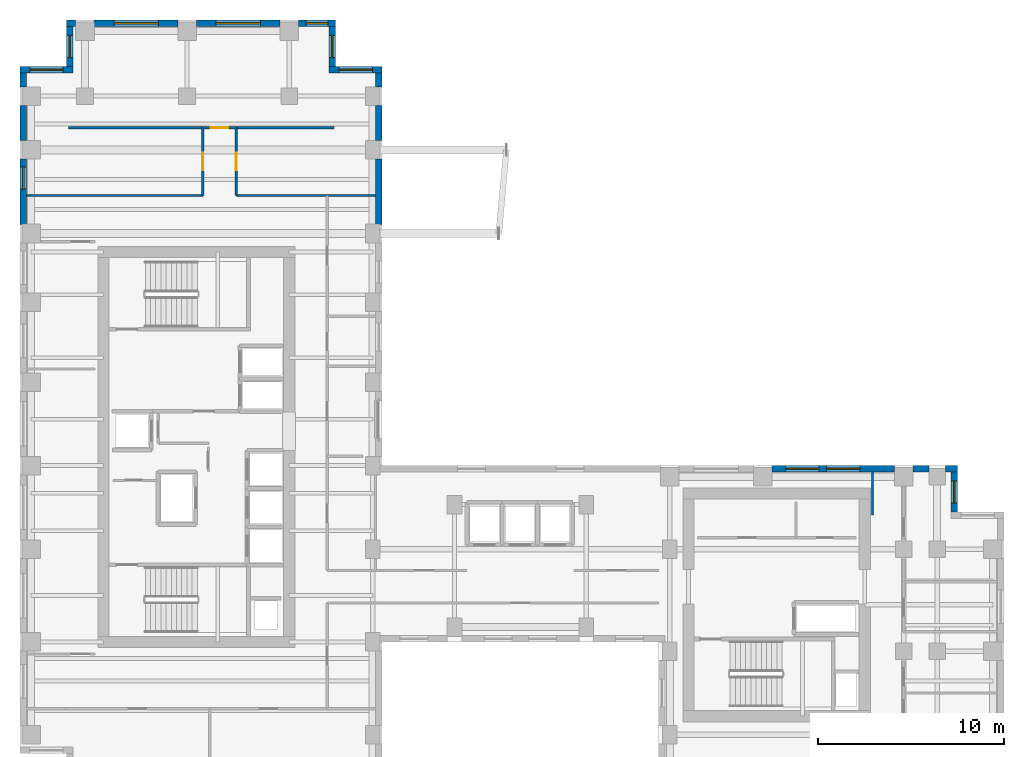
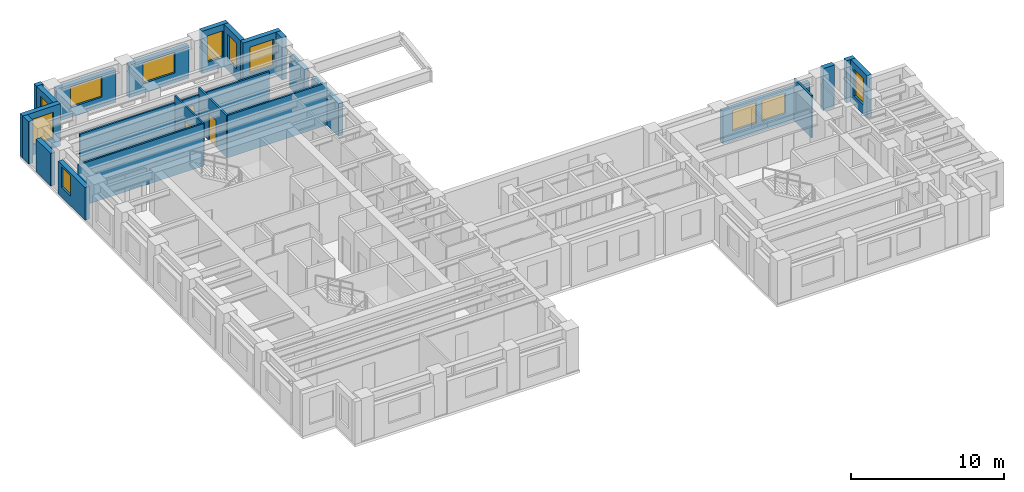
# One storey, part 10 of 13: 26 walls, 11 windows, 3 doors, 14 openings.
"""IFC4 building model written with IfcOpenShell, lengths in metres."""

from ifc_helpers import new_model, si_unit, direction, frame, frame_2d, origin, place, context, subcontext, project, spatial, rectangle, extrude, source, transform, mapped, material, layer, layer_set, type_object, element, fill, save


model = new_model("IFC4")

# Units and contexts
model_context = context("Model", 3, precision=1e-05, world=origin(), true_north=direction((0.0, 1.0)))
body_context = subcontext(model_context, "Body", "Model", "MODEL_VIEW")
ifc_project = project(units=[si_unit("LENGTHUNIT", "METRE"), si_unit("AREAUNIT", "SQUARE_METRE"), si_unit("VOLUMEUNIT", "CUBIC_METRE"), si_unit("PLANEANGLEUNIT", "RADIAN"), si_unit("MASSUNIT", "GRAM", prefix="KILO")], contexts=[model_context])

# Site, building, storey
site_placement = place(None, origin())
site = spatial("IfcSite", under=ifc_project, at=site_placement, CompositionType="ELEMENT")
building_placement = place(site_placement, origin())
building = spatial("IfcBuilding", under=site, at=building_placement, Name="Kharzan Plaza Tower", CompositionType="ELEMENT")
storey_placement = place(building_placement, frame((0.0, 0.0, 153.89990234375)))
storey = spatial("IfcBuildingStorey", under=building, at=storey_placement, Name="L41", CompositionType="ELEMENT", Elevation=153.89990234375)

# Wall, opening, window
ifc_material_1 = material(Name="Concrete C40/50", Category="concrete")
ifc_layer_1 = layer(ifc_material_1, 0.35009765625)
ifc_layer_set_1 = layer_set([ifc_layer_1], Name="Concrete C40/50")
wall_type_1 = type_object("IfcWallType", Name="WL-EXT-MAS-Z3", PredefinedType="SOLIDWALL", material=ifc_layer_set_1)
wall_1_placement = place(storey_placement, frame((19.5, 39.324951171875, 0.0), z_axis=(0.0, 0.0, 1.0), x_axis=(-1.0, 0.0, 0.0)))
wall_1 = element("IfcWall", 1, at=wall_1_placement, inside=storey, type_object=wall_type_1, Name="L41 Masonry-Frame Exterior Wall 01", PredefinedType="SOLIDWALL", context=body_context, shape_type="SweptSolid", body=[
    extrude(rectangle(XDim=2.85009765625, YDim=0.35009765625, at=frame_2d((1.425048828125, 0.0))), origin(), (0.0, 0.0, 1.0), 3.385009765625),
])
opening_1_placement = place(wall_1_placement, frame((0.52490234375, 0.0, 0.780029296875)))
opening_1 = element("IfcOpeningElement", 2, at=opening_1_placement, cuts=wall_1, Name="Opening W1", PredefinedType="OPENING", context=body_context, shape_type="SweptSolid", body=[
    extrude(rectangle(XDim=1.800048828125, YDim=2.10009765625, at=frame_2d((0.89990234375, 1.050048828125))), frame((0.0, 0.18505859375, 0.0), z_axis=(0.0, -1.0, 0.0), x_axis=(1.0, 0.0, 0.0)), (0.0, 0.0, 1.0), 0.3701171875),
])
ifc_material_2 = material(Name="Low-E Double Glazing", Category="glass")
window_type_1 = type_object("IfcWindowType", Name="WN-REC-1800x2100", PartitioningType="SINGLE_PANEL", PredefinedType="WINDOW", material=ifc_material_2)
shared_shape_1 = source(origin(), body_context, "Body", "SweptSolid", [
    extrude(rectangle(XDim=1.800048828125, YDim=2.10009765625, at=frame_2d((0.89990234375, 1.050048828125))), frame((0.0, 0.030029296875, 0.0), z_axis=(0.0, -1.0, 0.0), x_axis=(1.0, 0.0, 0.0)), (0.0, 0.0, 1.0), 0.06005859375),
])
window_1_placement = place(opening_1_placement, origin())
window_1 = element("IfcWindow", 3, at=window_1_placement, inside=storey, type_object=window_type_1, Name="L41 Recessed Solar-Control Window 01-1", OverallHeight=2.10009765625, OverallWidth=1.800048828125, PartitioningType="SINGLE_PANEL", PredefinedType="WINDOW", context=body_context, shape_type="MappedRepresentation", body=[
    mapped(shared_shape_1, transform((0.0, 0.0, 0.0), x_axis=(1.0, 0.0, 0.0), y_axis=(0.0, 1.0, 0.0), z_axis=(0.0, 0.0, 1.0))),
])
fill(opening_1, window_1)

wall_2_placement = place(storey_placement, frame((16.824951171875, 39.498046875, 0.0), z_axis=(0.0, 0.0, 1.0), x_axis=(0.0, 1.0, 0.0)))
wall_2 = element("IfcWall", 4, at=wall_2_placement, inside=storey, type_object=wall_type_1, Name="L41 Masonry-Frame Exterior Wall 02", PredefinedType="SOLIDWALL", context=body_context, shape_type="SweptSolid", body=[
    extrude(rectangle(XDim=2.154052734375, YDim=0.35009765625, at=frame_2d((1.0771484375, 0.0))), origin(), (0.0, 0.0, 1.0), 3.385009765625),
])
opening_2_placement = place(wall_2_placement, frame((0.47705078125, 0.0, 0.780029296875)))
opening_2 = element("IfcOpeningElement", 5, at=opening_2_placement, cuts=wall_2, Name="Opening W3", PredefinedType="OPENING", context=body_context, shape_type="SweptSolid", body=[
    extrude(rectangle(XDim=1.199951171875, YDim=2.10009765625, at=frame_2d((0.60009765625, 1.050048828125))), frame((0.0, 0.18505859375, 0.0), z_axis=(0.0, -1.0, 0.0), x_axis=(1.0, 0.0, 0.0)), (0.0, 0.0, 1.0), 0.3701171875),
])
window_type_2 = type_object("IfcWindowType", Name="WN-REC-1200x2100", PartitioningType="SINGLE_PANEL", PredefinedType="WINDOW", material=ifc_material_2)
shared_shape_2 = source(origin(), body_context, "Body", "SweptSolid", [
    extrude(rectangle(XDim=1.199951171875, YDim=2.10009765625, at=frame_2d((0.60009765625, 1.050048828125))), frame((0.0, 0.030029296875, 0.0), z_axis=(0.0, -1.0, 0.0), x_axis=(1.0, 0.0, 0.0)), (0.0, 0.0, 1.0), 0.06005859375),
])
window_2_placement = place(opening_2_placement, origin())
window_2 = element("IfcWindow", 6, at=window_2_placement, inside=storey, type_object=window_type_2, Name="L41 Recessed Solar-Control Window 02-1", OverallHeight=2.10009765625, OverallWidth=1.199951171875, PartitioningType="SINGLE_PANEL", PredefinedType="WINDOW", context=body_context, shape_type="MappedRepresentation", body=[
    mapped(shared_shape_2, transform((0.0, 0.0, 0.0), x_axis=(1.0, 0.0, 0.0), y_axis=(0.0, 1.0, 0.0), z_axis=(0.0, 0.0, 1.0))),
])
fill(opening_2, window_2)

wall_3_placement = place(storey_placement, frame((17.0, 41.824951171875, 0.0), z_axis=(0.0, 0.0, 1.0), x_axis=(-1.0, 0.0, 0.0)))
wall_3 = element("IfcWall", 7, at=wall_3_placement, inside=storey, type_object=wall_type_1, Name="L41 Masonry-Frame Exterior Wall 03", PredefinedType="SOLIDWALL", context=body_context, shape_type="SweptSolid", body=[
    extrude(rectangle(XDim=2.001953125, YDim=0.35009765625, at=frame_2d((1.0009765625, 0.0))), origin(), (0.0, 0.0, 1.0), 3.385009765625),
])
opening_3_placement = place(wall_3_placement, frame((0.40087890625, 0.0, 0.780029296875)))
opening_3 = element("IfcOpeningElement", 8, at=opening_3_placement, cuts=wall_3, Name="Opening W3", PredefinedType="OPENING", context=body_context, shape_type="SweptSolid", body=[
    extrude(rectangle(XDim=1.199951171875, YDim=2.10009765625, at=frame_2d((0.60009765625, 1.050048828125))), frame((0.0, 0.18505859375, 0.0), z_axis=(0.0, -1.0, 0.0), x_axis=(1.0, 0.0, 0.0)), (0.0, 0.0, 1.0), 0.3701171875),
])
window_3_placement = place(opening_3_placement, origin())
window_3 = element("IfcWindow", 9, at=window_3_placement, inside=storey, type_object=window_type_2, Name="L41 Recessed Solar-Control Window 03-1", OverallHeight=2.10009765625, OverallWidth=1.199951171875, PartitioningType="SINGLE_PANEL", PredefinedType="WINDOW", context=body_context, shape_type="MappedRepresentation", body=[
    mapped(shared_shape_2, transform((0.0, 0.0, 0.0), x_axis=(1.0, 0.0, 0.0), y_axis=(0.0, 1.0, 0.0), z_axis=(0.0, 0.0, 1.0))),
])
fill(opening_3, window_3)

wall_4_placement = place(storey_placement, frame((14.001953125, 41.824951171875, 0.0), z_axis=(0.0, 0.0, 1.0), x_axis=(-1.0, 0.0, 0.0)))
wall_4 = element("IfcWall", 10, at=wall_4_placement, inside=storey, type_object=wall_type_1, Name="L41 Masonry-Frame Exterior Wall 04", PredefinedType="SOLIDWALL", context=body_context, shape_type="SweptSolid", body=[
    extrude(rectangle(XDim=4.50390625, YDim=0.35009765625, at=frame_2d((2.251953125, 0.0))), origin(), (0.0, 0.0, 1.0), 2.612060546875),
])
opening_4_placement = place(wall_4_placement, frame((1.052001953125, 0.0, 0.780029296875)))
opening_4 = element("IfcOpeningElement", 11, at=opening_4_placement, cuts=wall_4, Name="Opening W2", PredefinedType="OPENING", context=body_context, shape_type="SweptSolid", body=[
    extrude(rectangle(XDim=2.39990234375, YDim=1.652099609375, at=frame_2d((1.199951171875, 0.826171875))), frame((0.0, 0.18505859375, 0.0), z_axis=(0.0, -1.0, 0.0), x_axis=(1.0, 0.0, 0.0)), (0.0, 0.0, 1.0), 0.3701171875),
])
window_type_3 = type_object("IfcWindowType", Name="WN-REC-2400x2100", PartitioningType="SINGLE_PANEL", PredefinedType="WINDOW", material=ifc_material_2)
shared_shape_3 = source(origin(), body_context, "Body", "SweptSolid", [
    extrude(rectangle(XDim=2.39990234375, YDim=1.652099609375, at=frame_2d((1.199951171875, 0.826171875))), frame((0.0, 0.030029296875, 0.0), z_axis=(0.0, -1.0, 0.0), x_axis=(1.0, 0.0, 0.0)), (0.0, 0.0, 1.0), 0.06005859375),
])
window_4_placement = place(opening_4_placement, origin())
window_4 = element("IfcWindow", 12, at=window_4_placement, inside=storey, type_object=window_type_3, Name="L41 Wide Recessed Solar-Control Window 04-1", OverallHeight=1.652099609375, OverallWidth=2.39990234375, PartitioningType="SINGLE_PANEL", PredefinedType="WINDOW", context=body_context, shape_type="MappedRepresentation", body=[
    mapped(shared_shape_3, transform((0.0, 0.0, 0.0), x_axis=(1.0, 0.0, 0.0), y_axis=(0.0, 1.0, 0.0), z_axis=(0.0, 0.0, 1.0))),
])
fill(opening_4, window_4)

wall_5_placement = place(storey_placement, frame((8.501953125, 41.824951171875, 0.0), z_axis=(0.0, 0.0, 1.0), x_axis=(-1.0, 0.0, 0.0)))
wall_5 = element("IfcWall", 13, at=wall_5_placement, inside=storey, type_object=wall_type_1, Name="L41 Masonry-Frame Exterior Wall 05", PredefinedType="SOLIDWALL", context=body_context, shape_type="SweptSolid", body=[
    extrude(rectangle(XDim=4.50390625, YDim=0.35009765625, at=frame_2d((2.251953125, 0.0))), origin(), (0.0, 0.0, 1.0), 2.612060546875),
])
opening_5_placement = place(wall_5_placement, frame((1.052001953125, 0.0, 0.780029296875)))
opening_5 = element("IfcOpeningElement", 14, at=opening_5_placement, cuts=wall_5, Name="Opening W2", PredefinedType="OPENING", context=body_context, shape_type="SweptSolid", body=[
    extrude(rectangle(XDim=2.39990234375, YDim=1.652099609375, at=frame_2d((1.199951171875, 0.826171875))), frame((0.0, 0.18505859375, 0.0), z_axis=(0.0, -1.0, 0.0), x_axis=(1.0, 0.0, 0.0)), (0.0, 0.0, 1.0), 0.3701171875),
])
window_5_placement = place(opening_5_placement, origin())
window_5 = element("IfcWindow", 15, at=window_5_placement, inside=storey, type_object=window_type_3, Name="L41 Wide Recessed Solar-Control Window 05-1", OverallHeight=1.652099609375, OverallWidth=2.39990234375, PartitioningType="SINGLE_PANEL", PredefinedType="WINDOW", context=body_context, shape_type="MappedRepresentation", body=[
    mapped(shared_shape_3, transform((0.0, 0.0, 0.0), x_axis=(1.0, 0.0, 0.0), y_axis=(0.0, 1.0, 0.0), z_axis=(0.0, 0.0, 1.0))),
])
fill(opening_5, window_5)

wall_6_placement = place(storey_placement, frame((2.675048828125, 41.652099609375, 0.0), z_axis=(0.0, 0.0, 1.0), x_axis=(0.0, -1.0, 0.0)))
wall_6 = element("IfcWall", 16, at=wall_6_placement, inside=storey, type_object=wall_type_1, Name="L41 Masonry-Frame Exterior Wall 07", PredefinedType="SOLIDWALL", context=body_context, shape_type="SweptSolid", body=[
    extrude(rectangle(XDim=2.154052734375, YDim=0.35009765625, at=frame_2d((1.0771484375, 0.0))), origin(), (0.0, 0.0, 1.0), 3.385009765625),
])
opening_6_placement = place(wall_6_placement, frame((0.47705078125, 0.0, 0.780029296875)))
opening_6 = element("IfcOpeningElement", 17, at=opening_6_placement, cuts=wall_6, Name="Opening W3", PredefinedType="OPENING", context=body_context, shape_type="SweptSolid", body=[
    extrude(rectangle(XDim=1.199951171875, YDim=2.10009765625, at=frame_2d((0.60009765625, 1.050048828125))), frame((0.0, 0.18505859375, 0.0), z_axis=(0.0, -1.0, 0.0), x_axis=(1.0, 0.0, 0.0)), (0.0, 0.0, 1.0), 0.3701171875),
])
window_6_placement = place(opening_6_placement, origin())
window_6 = element("IfcWindow", 18, at=window_6_placement, inside=storey, type_object=window_type_2, Name="L41 Recessed Solar-Control Window 07-1", OverallHeight=2.10009765625, OverallWidth=1.199951171875, PartitioningType="SINGLE_PANEL", PredefinedType="WINDOW", context=body_context, shape_type="MappedRepresentation", body=[
    mapped(shared_shape_2, transform((0.0, 0.0, 0.0), x_axis=(1.0, 0.0, 0.0), y_axis=(0.0, 1.0, 0.0), z_axis=(0.0, 0.0, 1.0))),
])
fill(opening_6, window_6)

wall_7_placement = place(storey_placement, frame((2.85009765625, 39.324951171875, 0.0), z_axis=(0.0, 0.0, 1.0), x_axis=(-1.0, 0.0, 0.0)))
wall_7 = element("IfcWall", 19, at=wall_7_placement, inside=storey, type_object=wall_type_1, Name="L41 Masonry-Frame Exterior Wall 08", PredefinedType="SOLIDWALL", context=body_context, shape_type="SweptSolid", body=[
    extrude(rectangle(XDim=2.85009765625, YDim=0.35009765625, at=frame_2d((1.425048828125, 0.0))), origin(), (0.0, 0.0, 1.0), 3.385009765625),
])
opening_7_placement = place(wall_7_placement, frame((0.52490234375, 0.0, 0.780029296875)))
opening_7 = element("IfcOpeningElement", 20, at=opening_7_placement, cuts=wall_7, Name="Opening W1", PredefinedType="OPENING", context=body_context, shape_type="SweptSolid", body=[
    extrude(rectangle(XDim=1.800048828125, YDim=2.10009765625, at=frame_2d((0.89990234375, 1.050048828125))), frame((0.0, 0.18505859375, 0.0), z_axis=(0.0, -1.0, 0.0), x_axis=(1.0, 0.0, 0.0)), (0.0, 0.0, 1.0), 0.3701171875),
])
window_7_placement = place(opening_7_placement, origin())
window_7 = element("IfcWindow", 21, at=window_7_placement, inside=storey, type_object=window_type_1, Name="L41 Recessed Solar-Control Window 08-1", OverallHeight=2.10009765625, OverallWidth=1.800048828125, PartitioningType="SINGLE_PANEL", PredefinedType="WINDOW", context=body_context, shape_type="MappedRepresentation", body=[
    mapped(shared_shape_1, transform((0.0, 0.0, 0.0), x_axis=(1.0, 0.0, 0.0), y_axis=(0.0, 1.0, 0.0), z_axis=(0.0, 0.0, 1.0))),
])
fill(opening_7, window_7)

wall_8_placement = place(storey_placement, frame((0.175048828125, 34.501953125, 0.0), z_axis=(0.0, 0.0, 1.0), x_axis=(0.0, -1.0, 0.0)))
wall_8 = element("IfcWall", 22, at=wall_8_placement, inside=storey, type_object=wall_type_1, Name="L41 Masonry-Frame Exterior Wall 11", PredefinedType="SOLIDWALL", context=body_context, shape_type="SweptSolid", body=[
    extrude(rectangle(XDim=3.50390625, YDim=0.35009765625, at=frame_2d((1.751953125, 0.0))), origin(), (0.0, 0.0, 1.0), 2.612060546875),
])
opening_8_placement = place(wall_8_placement, frame((0.410888671875, 0.0, 0.780029296875)))
opening_8 = element("IfcOpeningElement", 23, at=opening_8_placement, cuts=wall_8, Name="Opening W3", PredefinedType="OPENING", context=body_context, shape_type="SweptSolid", body=[
    extrude(rectangle(XDim=1.199951171875, YDim=1.652099609375, at=frame_2d((0.60009765625, 0.826171875))), frame((0.0, 0.18505859375, 0.0), z_axis=(0.0, -1.0, 0.0), x_axis=(1.0, 0.0, 0.0)), (0.0, 0.0, 1.0), 0.3701171875),
])
shared_shape_4 = source(origin(), body_context, "Body", "SweptSolid", [
    extrude(rectangle(XDim=1.199951171875, YDim=1.652099609375, at=frame_2d((0.60009765625, 0.826171875))), frame((0.0, 0.030029296875, 0.0), z_axis=(0.0, -1.0, 0.0), x_axis=(1.0, 0.0, 0.0)), (0.0, 0.0, 1.0), 0.06005859375),
])
window_8_placement = place(opening_8_placement, origin())
window_8 = element("IfcWindow", 24, at=window_8_placement, inside=storey, type_object=window_type_2, Name="L41 Recessed Solar-Control Window 11-1", OverallHeight=1.652099609375, OverallWidth=1.199951171875, PartitioningType="SINGLE_PANEL", PredefinedType="WINDOW", context=body_context, shape_type="MappedRepresentation", body=[
    mapped(shared_shape_4, transform((0.0, 0.0, 0.0), x_axis=(1.0, 0.0, 0.0), y_axis=(0.0, 1.0, 0.0), z_axis=(0.0, 0.0, 1.0))),
])
fill(opening_8, window_8)

wall_9_placement = place(storey_placement, frame((50.324951171875, 15.498046875, 0.0), z_axis=(0.0, 0.0, 1.0), x_axis=(0.0, 1.0, 0.0)))
wall_9 = element("IfcWall", 25, at=wall_9_placement, inside=storey, type_object=wall_type_1, Name="L41 Masonry-Frame Exterior Wall 41", PredefinedType="SOLIDWALL", context=body_context, shape_type="SweptSolid", body=[
    extrude(rectangle(XDim=2.154052734375, YDim=0.35009765625, at=frame_2d((1.0771484375, 0.0))), origin(), (0.0, 0.0, 1.0), 3.385009765625),
])
opening_9_placement = place(wall_9_placement, frame((0.47705078125, 0.0, 0.780029296875)))
opening_9 = element("IfcOpeningElement", 26, at=opening_9_placement, cuts=wall_9, Name="Opening W3", PredefinedType="OPENING", context=body_context, shape_type="SweptSolid", body=[
    extrude(rectangle(XDim=1.199951171875, YDim=2.10009765625, at=frame_2d((0.60009765625, 1.050048828125))), frame((0.0, 0.18505859375, 0.0), z_axis=(0.0, -1.0, 0.0), x_axis=(1.0, 0.0, 0.0)), (0.0, 0.0, 1.0), 0.3701171875),
])
window_9_placement = place(opening_9_placement, origin())
window_9 = element("IfcWindow", 27, at=window_9_placement, inside=storey, type_object=window_type_2, Name="L41 Recessed Solar-Control Window 41-1", OverallHeight=2.10009765625, OverallWidth=1.199951171875, PartitioningType="SINGLE_PANEL", PredefinedType="WINDOW", context=body_context, shape_type="MappedRepresentation", body=[
    mapped(shared_shape_2, transform((0.0, 0.0, 0.0), x_axis=(1.0, 0.0, 0.0), y_axis=(0.0, 1.0, 0.0), z_axis=(0.0, 0.0, 1.0))),
])
fill(opening_9, window_9)

# Wall, openings, windows
wall_10_placement = place(storey_placement, frame((47.10205078125, 17.824951171875, 0.0), z_axis=(0.0, 0.0, 1.0), x_axis=(-1.0, 0.0, 0.0)))
wall_10 = element("IfcWall", 28, at=wall_10_placement, inside=storey, type_object=wall_type_1, Name="L41 Masonry-Frame Exterior Wall 44", PredefinedType="SOLIDWALL", context=body_context, shape_type="SweptSolid", body=[
    extrude(rectangle(XDim=6.60400390625, YDim=0.35009765625, at=frame_2d((3.302001953125, 0.0))), origin(), (0.0, 0.0, 1.0), 2.612060546875),
])
opening_10_placement = place(wall_10_placement, frame((1.849365234375, 0.0, 0.780029296875)))
opening_10 = element("IfcOpeningElement", 29, at=opening_10_placement, cuts=wall_10, Name="Opening W1", PredefinedType="OPENING", context=body_context, shape_type="SweptSolid", body=[
    extrude(rectangle(XDim=1.800048828125, YDim=1.652099609375, at=frame_2d((0.89990234375, 0.826171875))), frame((0.0, 0.18505859375, 0.0), z_axis=(0.0, -1.0, 0.0), x_axis=(1.0, 0.0, 0.0)), (0.0, 0.0, 1.0), 0.3701171875),
])
opening_11_placement = place(wall_10_placement, frame((4.066650390625, 0.0, 0.780029296875)))
opening_11 = element("IfcOpeningElement", 30, at=opening_11_placement, cuts=wall_10, Name="Opening W1", PredefinedType="OPENING", context=body_context, shape_type="SweptSolid", body=[
    extrude(rectangle(XDim=1.800048828125, YDim=1.652099609375, at=frame_2d((0.89990234375, 0.826171875))), frame((0.0, 0.18505859375, 0.0), z_axis=(0.0, -1.0, 0.0), x_axis=(1.0, 0.0, 0.0)), (0.0, 0.0, 1.0), 0.3701171875),
])
shared_shape_5 = source(origin(), body_context, "Body", "SweptSolid", [
    extrude(rectangle(XDim=1.800048828125, YDim=1.652099609375, at=frame_2d((0.89990234375, 0.826171875))), frame((0.0, 0.030029296875, 0.0), z_axis=(0.0, -1.0, 0.0), x_axis=(1.0, 0.0, 0.0)), (0.0, 0.0, 1.0), 0.06005859375),
])
window_10_placement = place(opening_10_placement, origin())
window_10 = element("IfcWindow", 31, at=window_10_placement, inside=storey, type_object=window_type_1, Name="L41 Recessed Solar-Control Window 44-1", OverallHeight=1.652099609375, OverallWidth=1.800048828125, PartitioningType="SINGLE_PANEL", PredefinedType="WINDOW", context=body_context, shape_type="MappedRepresentation", body=[
    mapped(shared_shape_5, transform((0.0, 0.0, 0.0), x_axis=(1.0, 0.0, 0.0), y_axis=(0.0, 1.0, 0.0), z_axis=(0.0, 0.0, 1.0))),
])
fill(opening_10, window_10)
window_11_placement = place(opening_11_placement, origin())
window_11 = element("IfcWindow", 32, at=window_11_placement, inside=storey, type_object=window_type_1, Name="L41 Recessed Solar-Control Window 44-2", OverallHeight=1.652099609375, OverallWidth=1.800048828125, PartitioningType="SINGLE_PANEL", PredefinedType="WINDOW", context=body_context, shape_type="MappedRepresentation", body=[
    mapped(shared_shape_5, transform((0.0, 0.0, 0.0), x_axis=(1.0, 0.0, 0.0), y_axis=(0.0, 1.0, 0.0), z_axis=(0.0, 0.0, 1.0))),
])
fill(opening_11, window_11)

# Wall, opening, door
ifc_material_3 = material(Name="Fire-Rated Gypsum Board Partition", Category="gypsum")
ifc_layer_2 = layer(ifc_material_3, 0.125)
ifc_layer_set_2 = layer_set([ifc_layer_2], Name="Fire-Rated Gypsum Board Partition")
wall_type_2 = type_object("IfcWallType", Name="WL-INT-PART-125", PredefinedType="PARTITIONING", material=ifc_layer_set_2)
wall_11_placement = place(storey_placement, frame((11.64990234375, 32.550048828125, 0.0), z_axis=(0.0, 0.0, 1.0), x_axis=(0.0, 1.0, 0.0)))
wall_11 = element("IfcWall", 33, at=wall_11_placement, inside=storey, type_object=wall_type_2, Name="L41 Interior Partition SH-SPE-1", PredefinedType="PARTITIONING", context=body_context, shape_type="SweptSolid", body=[
    extrude(rectangle(XDim=3.64990234375, YDim=0.125, at=frame_2d((1.824951171875, 0.0))), origin(), (0.0, 0.0, 1.0), 3.385009765625),
])
opening_12_placement = place(wall_11_placement, frame((1.35009765625, 0.0, 0.0)))
opening_12 = element("IfcOpeningElement", 34, at=opening_12_placement, cuts=wall_11, Name="Opening OD1", PredefinedType="OPENING", context=body_context, shape_type="SweptSolid", body=[
    extrude(rectangle(XDim=0.949951171875, YDim=2.14990234375, at=frame_2d((0.47509765625, 1.074951171875))), frame((0.0, 0.072509765625, 0.0), z_axis=(0.0, -1.0, 0.0), x_axis=(1.0, 0.0, 0.0)), (0.0, 0.0, 1.0), 0.14501953125),
])
ifc_material_4 = material(Name="Acoustic Solid-Core Stained Oak", Category="timber")
door_type = type_object("IfcDoorType", Name="DR-OFF-SINGLE", OperationType="NOTDEFINED", PredefinedType="DOOR", material=ifc_material_4)
shared_shape_6 = source(origin(), body_context, "Body", "SweptSolid", [
    extrude(rectangle(XDim=0.949951171875, YDim=2.14990234375, at=frame_2d((0.47509765625, 1.074951171875))), frame((0.0, 0.02490234375, 0.0), z_axis=(0.0, -1.0, 0.0), x_axis=(1.0, 0.0, 0.0)), (0.0, 0.0, 1.0), 0.050048828125),
])
door_1_placement = place(opening_12_placement, origin())
door_1 = element("IfcDoor", 35, at=door_1_placement, inside=storey, type_object=door_type, Name="L41 Strategy Briefing Room Door", OperationType="SINGLE_SWING_LEFT", OverallHeight=2.14990234375, OverallWidth=0.949951171875, PredefinedType="DOOR", context=body_context, shape_type="MappedRepresentation", body=[
    mapped(shared_shape_6, transform((0.0, 0.0, 0.0), x_axis=(1.0, 0.0, 0.0), y_axis=(0.0, 1.0, 0.0), z_axis=(0.0, 0.0, 1.0))),
])
fill(opening_12, door_1)

wall_12_placement = place(storey_placement, frame((9.85009765625, 36.199951171875, 0.0), z_axis=(0.0, 0.0, 1.0), x_axis=(1.0, 0.0, 0.0)))
wall_12 = element("IfcWall", 36, at=wall_12_placement, inside=storey, type_object=wall_type_2, Name="L41 Interior Partition SH-SPHD", PredefinedType="PARTITIONING", context=body_context, shape_type="SweptSolid", body=[
    extrude(rectangle(XDim=1.7998046875, YDim=0.125, at=frame_2d((0.89990234375, 0.0))), origin(), (0.0, 0.0, 1.0), 2.84814453125),
])
opening_13_placement = place(wall_12_placement, frame((0.425048828125, 0.0, 0.0)))
opening_13 = element("IfcOpeningElement", 37, at=opening_13_placement, cuts=wall_12, Name="Opening OD1", PredefinedType="OPENING", context=body_context, shape_type="SweptSolid", body=[
    extrude(rectangle(XDim=0.949951171875, YDim=2.14990234375, at=frame_2d((0.47509765625, 1.074951171875))), frame((0.0, 0.072509765625, 0.0), z_axis=(0.0, -1.0, 0.0), x_axis=(1.0, 0.0, 0.0)), (0.0, 0.0, 1.0), 0.14501953125),
])
door_2_placement = place(opening_13_placement, origin())
door_2 = element("IfcDoor", 38, at=door_2_placement, inside=storey, type_object=door_type, Name="L41 North Boardroom Door", OperationType="SINGLE_SWING_RIGHT", OverallHeight=2.14990234375, OverallWidth=0.949951171875, PredefinedType="DOOR", context=body_context, shape_type="MappedRepresentation", body=[
    mapped(shared_shape_6, transform((0.0, 0.0, 0.0), x_axis=(1.0, 0.0, 0.0), y_axis=(0.0, 1.0, 0.0), z_axis=(0.0, 0.0, 1.0))),
])
fill(opening_13, door_2)

wall_13_placement = place(storey_placement, frame((9.85009765625, 32.550048828125, 0.0), z_axis=(0.0, 0.0, 1.0), x_axis=(0.0, 1.0, 0.0)))
wall_13 = element("IfcWall", 39, at=wall_13_placement, inside=storey, type_object=wall_type_2, Name="L41 Interior Partition SH-SPW-1", PredefinedType="PARTITIONING", context=body_context, shape_type="SweptSolid", body=[
    extrude(rectangle(XDim=3.64990234375, YDim=0.125, at=frame_2d((1.824951171875, 0.0))), origin(), (0.0, 0.0, 1.0), 3.385009765625),
])
opening_14_placement = place(wall_13_placement, frame((1.35009765625, 0.0, 0.0)))
opening_14 = element("IfcOpeningElement", 40, at=opening_14_placement, cuts=wall_13, Name="Opening OD1", PredefinedType="OPENING", context=body_context, shape_type="SweptSolid", body=[
    extrude(rectangle(XDim=0.949951171875, YDim=2.14990234375, at=frame_2d((0.47509765625, 1.074951171875))), frame((0.0, 0.072509765625, 0.0), z_axis=(0.0, -1.0, 0.0), x_axis=(1.0, 0.0, 0.0)), (0.0, 0.0, 1.0), 0.14501953125),
])
door_3_placement = place(opening_14_placement, origin())
door_3 = element("IfcDoor", 41, at=door_3_placement, inside=storey, type_object=door_type, Name="L41 Corporate Secretariat Office Door", OperationType="SINGLE_SWING_RIGHT", OverallHeight=2.14990234375, OverallWidth=0.949951171875, PredefinedType="DOOR", context=body_context, shape_type="MappedRepresentation", body=[
    mapped(shared_shape_6, transform((0.0, 0.0, 0.0), x_axis=(1.0, 0.0, 0.0), y_axis=(0.0, 1.0, 0.0), z_axis=(0.0, 0.0, 1.0))),
])
fill(opening_14, door_3)

# Walls
shared_shape_7 = source(origin(), body_context, "Body", "SweptSolid", [
    extrude(rectangle(XDim=0.501953125, YDim=0.35009765625, at=frame_2d((0.2509765625, 0.0))), origin(), (0.0, 0.0, 1.0), 3.385009765625),
])
wall_14_placement = place(storey_placement, frame((3.001953125, 41.824951171875, 0.0), z_axis=(0.0, 0.0, 1.0), x_axis=(-1.0, 0.0, 0.0)))
element("IfcWall", 42, at=wall_14_placement, inside=storey, type_object=wall_type_1, Name="L41 Masonry-Frame Exterior Wall 06", PredefinedType="SOLIDWALL", context=body_context, shape_type="MappedRepresentation", body=[
    mapped(shared_shape_7, transform((0.0, 0.0, 0.0), x_axis=(1.0, 0.0, 0.0), y_axis=(0.0, 1.0, 0.0), z_axis=(0.0, 0.0, 1.0))),
])
shared_shape_8 = source(origin(), body_context, "Body", "SweptSolid", [
    extrude(rectangle(XDim=0.754150390625, YDim=0.35009765625, at=frame_2d((0.376953125, 0.0))), origin(), (0.0, 0.0, 1.0), 3.385009765625),
])
for number, where, z_axis, x_axis, name in (
    (43, (0.175048828125, 39.152099609375, 0.0), (0.0, 0.0, 1.0), (0.0, -1.0, 0.0), "L41 Masonry-Frame Exterior Wall 09"),
    (44, (19.324951171875, 38.39794921875, 0.0), (0.0, 0.0, 1.0), (0.0, 1.0, 0.0), "L41 Masonry-Frame Exterior Wall 53"),
):
    element("IfcWall", number, at=place(storey_placement, frame(where, z_axis=z_axis, x_axis=x_axis)), inside=storey, type_object=wall_type_1, Name=name, PredefinedType="SOLIDWALL", context=body_context, shape_type="MappedRepresentation", body=[
        mapped(shared_shape_8, transform((0.0, 0.0, 0.0), x_axis=(1.0, 0.0, 0.0), y_axis=(0.0, 1.0, 0.0), z_axis=(0.0, 0.0, 1.0))),
    ])
shared_shape_9 = source(origin(), body_context, "Body", "SweptSolid", [
    extrude(rectangle(XDim=0.652099609375, YDim=0.35009765625, at=frame_2d((0.326171875, 0.0))), origin(), (0.0, 0.0, 1.0), 3.385009765625),
])
wall_15_placement = place(storey_placement, frame((50.5, 17.824951171875, 0.0), z_axis=(0.0, 0.0, 1.0), x_axis=(-1.0, 0.0, 0.0)))
element("IfcWall", 45, at=wall_15_placement, inside=storey, type_object=wall_type_1, Name="L41 Masonry-Frame Exterior Wall 42", PredefinedType="SOLIDWALL", context=body_context, shape_type="MappedRepresentation", body=[
    mapped(shared_shape_9, transform((0.0, 0.0, 0.0), x_axis=(1.0, 0.0, 0.0), y_axis=(0.0, 1.0, 0.0), z_axis=(0.0, 0.0, 1.0))),
])
shared_shape_10 = source(origin(), body_context, "Body", "SweptSolid", [
    extrude(rectangle(XDim=0.85400390625, YDim=0.35009765625, at=frame_2d((0.427001953125, 0.0))), origin(), (0.0, 0.0, 1.0), 3.385009765625),
])
wall_16_placement = place(storey_placement, frame((48.951904296875, 17.824951171875, 0.0), z_axis=(0.0, 0.0, 1.0), x_axis=(-1.0, 0.0, 0.0)))
element("IfcWall", 46, at=wall_16_placement, inside=storey, type_object=wall_type_1, Name="L41 Masonry-Frame Exterior Wall 43", PredefinedType="SOLIDWALL", context=body_context, shape_type="MappedRepresentation", body=[
    mapped(shared_shape_10, transform((0.0, 0.0, 0.0), x_axis=(1.0, 0.0, 0.0), y_axis=(0.0, 1.0, 0.0), z_axis=(0.0, 0.0, 1.0))),
])
shared_shape_11 = source(origin(), body_context, "Body", "SweptSolid", [
    extrude(rectangle(XDim=2.2978515625, YDim=0.125, at=frame_2d((1.14892578125, 0.0))), origin(), (0.0, 0.0, 1.0), 3.385009765625),
])
wall_17_placement = place(storey_placement, frame((45.919921875, 15.35009765625, 0.0), z_axis=(0.0, 0.0, 1.0), x_axis=(0.0, 1.0, 0.0)))
element("IfcWall", 47, at=wall_17_placement, inside=storey, type_object=wall_type_2, Name="L41 Interior Partition SH-RBNE0", PredefinedType="PARTITIONING", context=body_context, shape_type="MappedRepresentation", body=[
    mapped(shared_shape_11, transform((0.0, 0.0, 0.0), x_axis=(1.0, 0.0, 0.0), y_axis=(0.0, 1.0, 0.0), z_axis=(0.0, 0.0, 1.0))),
])
shared_shape_12 = source(origin(), body_context, "Body", "SweptSolid", [
    extrude(rectangle(XDim=1.904052734375, YDim=0.35009765625, at=frame_2d((0.9521484375, 0.0))), origin(), (0.0, 0.0, 1.0), 2.612060546875),
])
for number, where, z_axis, x_axis, name in (
    (48, (0.175048828125, 37.402099609375, 0.0), (0.0, 0.0, 1.0), (0.0, -1.0, 0.0), "L41 Masonry-Frame Exterior Wall 10"),
    (49, (19.324951171875, 35.498046875, 0.0), (0.0, 0.0, 1.0), (0.0, 1.0, 0.0), "L41 Masonry-Frame Exterior Wall 52"),
):
    element("IfcWall", number, at=place(storey_placement, frame(where, z_axis=z_axis, x_axis=x_axis)), inside=storey, type_object=wall_type_1, Name=name, PredefinedType="SOLIDWALL", context=body_context, shape_type="MappedRepresentation", body=[
        mapped(shared_shape_12, transform((0.0, 0.0, 0.0), x_axis=(1.0, 0.0, 0.0), y_axis=(0.0, 1.0, 0.0), z_axis=(0.0, 0.0, 1.0))),
    ])
shared_shape_13 = source(origin(), body_context, "Body", "SweptSolid", [
    extrude(rectangle(XDim=3.50390625, YDim=0.35009765625, at=frame_2d((1.751953125, 0.0))), origin(), (0.0, 0.0, 1.0), 2.612060546875),
])
wall_18_placement = place(storey_placement, frame((19.324951171875, 30.998046875, 0.0), z_axis=(0.0, 0.0, 1.0), x_axis=(0.0, 1.0, 0.0)))
element("IfcWall", 50, at=wall_18_placement, inside=storey, type_object=wall_type_1, Name="L41 Masonry-Frame Exterior Wall 51", PredefinedType="SOLIDWALL", context=body_context, shape_type="MappedRepresentation", body=[
    mapped(shared_shape_13, transform((0.0, 0.0, 0.0), x_axis=(1.0, 0.0, 0.0), y_axis=(0.0, 1.0, 0.0), z_axis=(0.0, 0.0, 1.0))),
])
shared_shape_14 = source(origin(), body_context, "Body", "SweptSolid", [
    extrude(rectangle(XDim=7.498046875, YDim=0.125, at=frame_2d((3.7490234375, 0.0))), origin(), (0.0, 0.0, 1.0), 3.385009765625),
])
wall_19_placement = place(storey_placement, frame((11.64990234375, 32.550048828125, 0.0), z_axis=(0.0, 0.0, 1.0), x_axis=(1.0, 0.0, 0.0)))
element("IfcWall", 51, at=wall_19_placement, inside=storey, type_object=wall_type_2, Name="L41 Interior Partition SH-NNE", PredefinedType="PARTITIONING", context=body_context, shape_type="MappedRepresentation", body=[
    mapped(shared_shape_14, transform((0.0, 0.0, 0.0), x_axis=(1.0, 0.0, 0.0), y_axis=(0.0, 1.0, 0.0), z_axis=(0.0, 0.0, 1.0))),
])
shared_shape_15 = source(origin(), body_context, "Body", "SweptSolid", [
    extrude(rectangle(XDim=9.498046875, YDim=0.125, at=frame_2d((4.7490234375, 0.0))), origin(), (0.0, 0.0, 1.0), 3.385009765625),
])
wall_20_placement = place(storey_placement, frame((0.35205078125, 32.550048828125, 0.0), z_axis=(0.0, 0.0, 1.0), x_axis=(1.0, 0.0, 0.0)))
element("IfcWall", 52, at=wall_20_placement, inside=storey, type_object=wall_type_2, Name="L41 Interior Partition SH-NNW", PredefinedType="PARTITIONING", context=body_context, shape_type="MappedRepresentation", body=[
    mapped(shared_shape_15, transform((0.0, 0.0, 0.0), x_axis=(1.0, 0.0, 0.0), y_axis=(0.0, 1.0, 0.0), z_axis=(0.0, 0.0, 1.0))),
])
shared_shape_16 = source(origin(), body_context, "Body", "SweptSolid", [
    extrude(rectangle(XDim=5.25, YDim=0.125, at=frame_2d((2.625, 0.0))), origin(), (0.0, 0.0, 1.0), 2.84814453125),
])
wall_21_placement = place(storey_placement, frame((11.64990234375, 36.199951171875, 0.0), z_axis=(0.0, 0.0, 1.0), x_axis=(1.0, 0.0, 0.0)))
element("IfcWall", 53, at=wall_21_placement, inside=storey, type_object=wall_type_2, Name="L41 Interior Partition SH-SPHE", PredefinedType="PARTITIONING", context=body_context, shape_type="MappedRepresentation", body=[
    mapped(shared_shape_16, transform((0.0, 0.0, 0.0), x_axis=(1.0, 0.0, 0.0), y_axis=(0.0, 1.0, 0.0), z_axis=(0.0, 0.0, 1.0))),
])
shared_shape_17 = source(origin(), body_context, "Body", "SweptSolid", [
    extrude(rectangle(XDim=7.25, YDim=0.125, at=frame_2d((3.625, 0.0))), origin(), (0.0, 0.0, 1.0), 2.84814453125),
])
wall_22_placement = place(storey_placement, frame((2.60009765625, 36.199951171875, 0.0), z_axis=(0.0, 0.0, 1.0), x_axis=(1.0, 0.0, 0.0)))
element("IfcWall", 54, at=wall_22_placement, inside=storey, type_object=wall_type_2, Name="L41 Interior Partition SH-SPHW", PredefinedType="PARTITIONING", context=body_context, shape_type="MappedRepresentation", body=[
    mapped(shared_shape_17, transform((0.0, 0.0, 0.0), x_axis=(1.0, 0.0, 0.0), y_axis=(0.0, 1.0, 0.0), z_axis=(0.0, 0.0, 1.0))),
])

save(model, "model.ifc")
